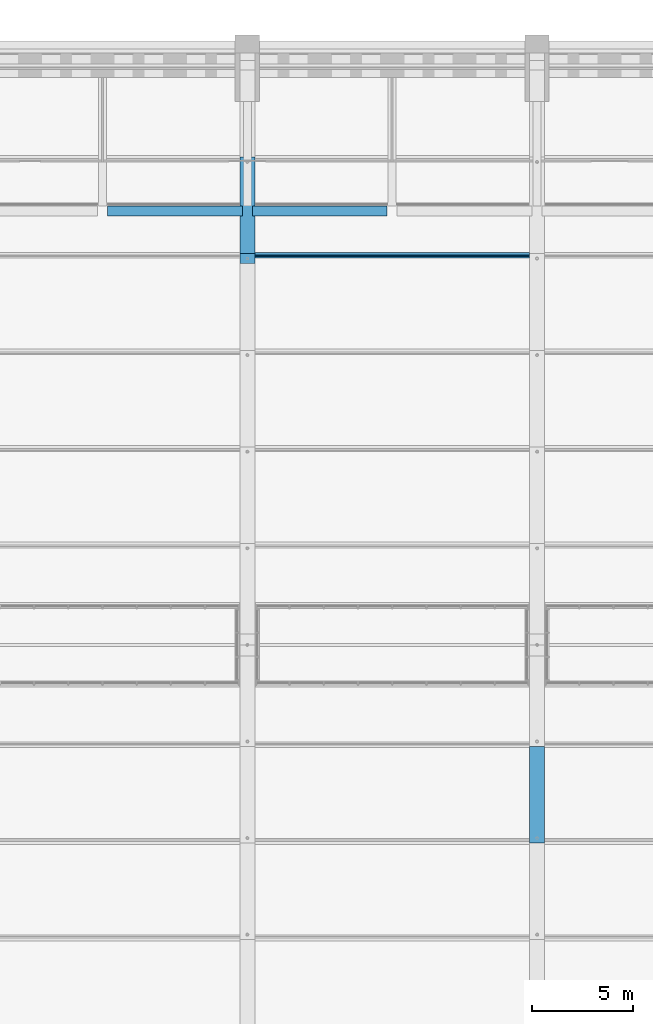
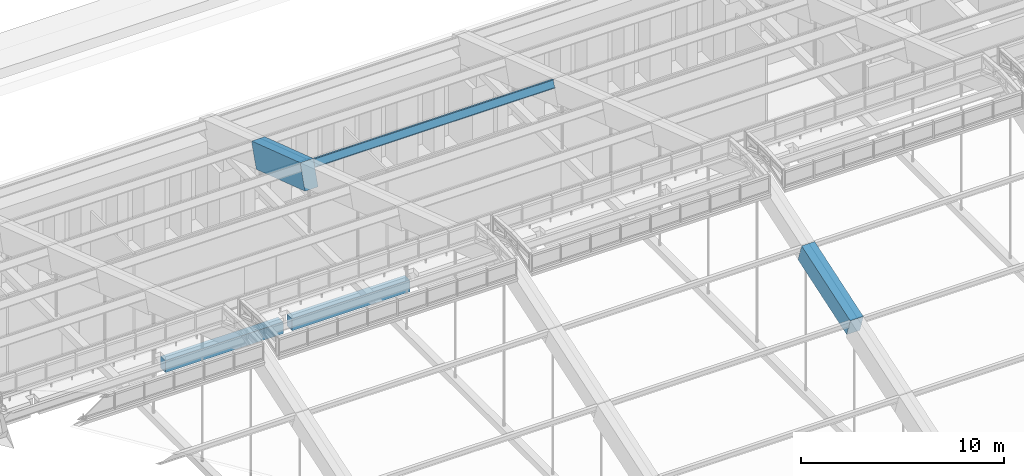
# One storey, part 69 of 149: 4 beams, 1 member.
"""IFC4 building model written with IfcOpenShell, lengths in metres."""

from ifc_helpers import new_model, si_unit, direction, frame, origin, origin_2d, place, context, subcontext, project, spatial, rectangle, i_section, extrude, material, material_profile, profile_set, type_object, element, save


model = new_model("IFC4")

# Units and contexts
model_context = context("Model", 3, precision=1e-05, world=origin(), true_north=direction((0.0, 1.0)))
body_context = subcontext(model_context, "Body", "Model", "MODEL_VIEW")
ifc_project = project(units=[si_unit("LENGTHUNIT", "METRE"), si_unit("AREAUNIT", "SQUARE_METRE"), si_unit("VOLUMEUNIT", "CUBIC_METRE"), si_unit("PLANEANGLEUNIT", "RADIAN"), si_unit("MASSUNIT", "GRAM", prefix="KILO")], contexts=[model_context])

# Site, building, storey
site_placement = place(None, origin())
site = spatial("IfcSite", under=ifc_project, at=site_placement, CompositionType="ELEMENT")
building_placement = place(site_placement, origin())
building = spatial("IfcBuilding", under=site, at=building_placement, Name="Alderwick Market Hall", CompositionType="ELEMENT")
storey_placement = place(building_placement, frame((0.0, 0.0, 9.60009765625)))
storey = spatial("IfcBuildingStorey", under=building, at=storey_placement, Name="L01", CompositionType="ELEMENT", Elevation=9.60009765625)

# Beams
ifc_material_1 = material(Name="Concrete 5000 psi (f'c 35 MPa)", Category="concrete")
ifc_material_profile_1 = material_profile(ifc_material_1, rectangle(XDim=0.5, YDim=0.699951171875, at=origin_2d()), Name="RC 500x700")
ifc_profile_set_1 = profile_set([ifc_material_profile_1], Name="Concrete 5000 psi (f'c 35 MPa)")
beam_type_1 = type_object("IfcBeamType", Name="H Edge beam 500x700", PredefinedType="BEAM", material=ifc_profile_set_1)
for number, where, z_axis, x_axis, name in (
    (1, (101.050048828125, 100.760009765625, -0.60009765625), (1.0, 0.0, 0.0), (0.0, 1.0, 0.0), "Gallery edge beam N"),
    (2, (108.25, 100.760009765625, -0.60009765625), (1.0, 0.0, 0.0), (0.0, 1.0, 0.0), "Gallery edge beam N"),
):
    element("IfcBeam", number, at=place(storey_placement, frame(where, z_axis=z_axis, x_axis=x_axis)), inside=storey, type_object=beam_type_1, Name=name, PredefinedType="BEAM", context=body_context, shape_type="SweptSolid", body=[
        extrude(rectangle(XDim=0.5, YDim=0.699951171875, at=origin_2d()), origin(), (0.0, 0.0, 1.0), 6.699951171875),
    ])
ifc_material_profile_2 = material_profile(ifc_material_1, rectangle(XDim=0.75, YDim=1.10009765625, at=origin_2d()), Name="RC 750x1100")
ifc_profile_set_2 = profile_set([ifc_material_profile_2], Name="Concrete 5000 psi (f'c 35 MPa)")
beam_type_2 = type_object("IfcBeamType", Name="R Arch Rib Crown 750x1100", PredefinedType="BEAM", material=ifc_profile_set_2)
beam_1_placement = place(storey_placement, frame((122.39990234375, 69.536865234375, 13.189697265625), z_axis=(0.0, 0.948688123414, 0.316213289559), x_axis=(-1.0, 0.0, 0.0)))
element("IfcBeam", 3, at=beam_1_placement, inside=storey, type_object=beam_type_2, Name="Arch rib 6 chord 5", PredefinedType="BEAM", context=body_context, shape_type="SweptSolid", body=[
    extrude(rectangle(XDim=0.75, YDim=1.10009765625, at=origin_2d()), origin(), (0.0, 0.0, 1.0), 5.059326171875),
])
ifc_material_profile_3 = material_profile(ifc_material_1, rectangle(XDim=0.75, YDim=1.5, at=origin_2d()), Name="RC 750x1500")
ifc_profile_set_3 = profile_set([ifc_material_profile_3], Name="Concrete 5000 psi (f'c 35 MPa)")
beam_type_3 = type_object("IfcBeamType", Name="R Arch Rib Springing 750x1500", PredefinedType="BEAM", material=ifc_profile_set_3)
beam_2_placement = place(storey_placement, frame((108.0, 98.39990234375, 9.7998046875), z_axis=(0.0, 0.948692948114, -0.316198814353), x_axis=(-1.0, 0.0, 0.0)))
element("IfcBeam", 4, at=beam_2_placement, inside=storey, type_object=beam_type_3, Name="Arch rib 5 chord 11", PredefinedType="BEAM", context=body_context, shape_type="SweptSolid", body=[
    extrude(rectangle(XDim=0.75, YDim=1.5, at=origin_2d()), origin(), (0.0, 0.0, 1.0), 5.0595703125),
])

# Member
ifc_material_2 = material(Name="Steel ASTM A992 Grade 50", Category="steel")
ifc_material_profile_4 = material_profile(ifc_material_2, i_section(OverallWidth=0.153076171875, OverallDepth=0.455078125, WebThickness=0.008056640625, FlangeThickness=0.01318359375, at=origin_2d()), Name="W18x40")
ifc_profile_set_4 = profile_set([ifc_material_profile_4], Name="Steel ASTM A992 Grade 50")
member_type = type_object("IfcMemberType", Name="R Purlin W18x40", PredefinedType="PURLIN", material=ifc_profile_set_4)
member_placement = place(storey_placement, frame((108.375, 98.563232421875, 10.289794921875), z_axis=(1.0, 0.0, 0.0), x_axis=(0.0, 0.948683297073, -0.316227768949)))
element("IfcMember", 5, at=member_placement, inside=storey, type_object=member_type, Name="Roof purlin 11.5", PredefinedType="PURLIN", context=body_context, shape_type="SweptSolid", body=[
    extrude(i_section(OverallWidth=0.153076171875, OverallDepth=0.455078125, WebThickness=0.008056640625, FlangeThickness=0.01318359375, at=origin_2d()), origin(), (0.0, 0.0, 1.0), 13.64990234375),
])

save(model, "model.ifc")
